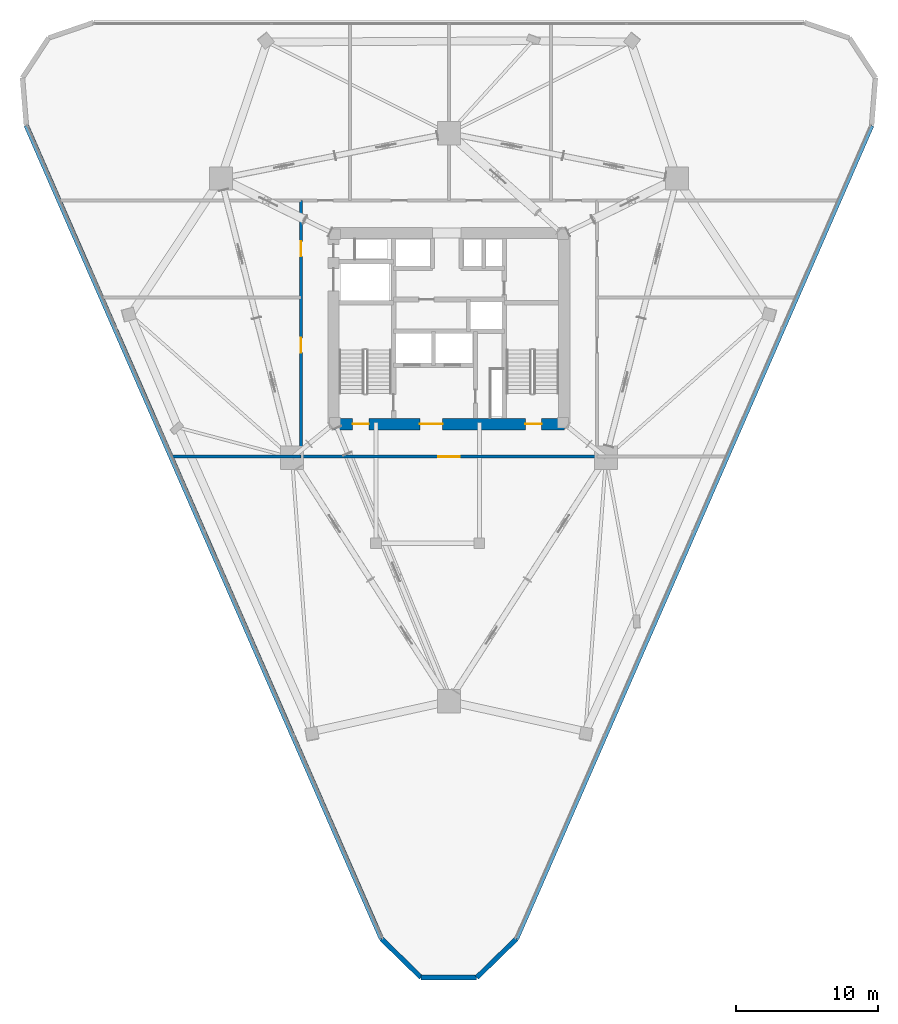
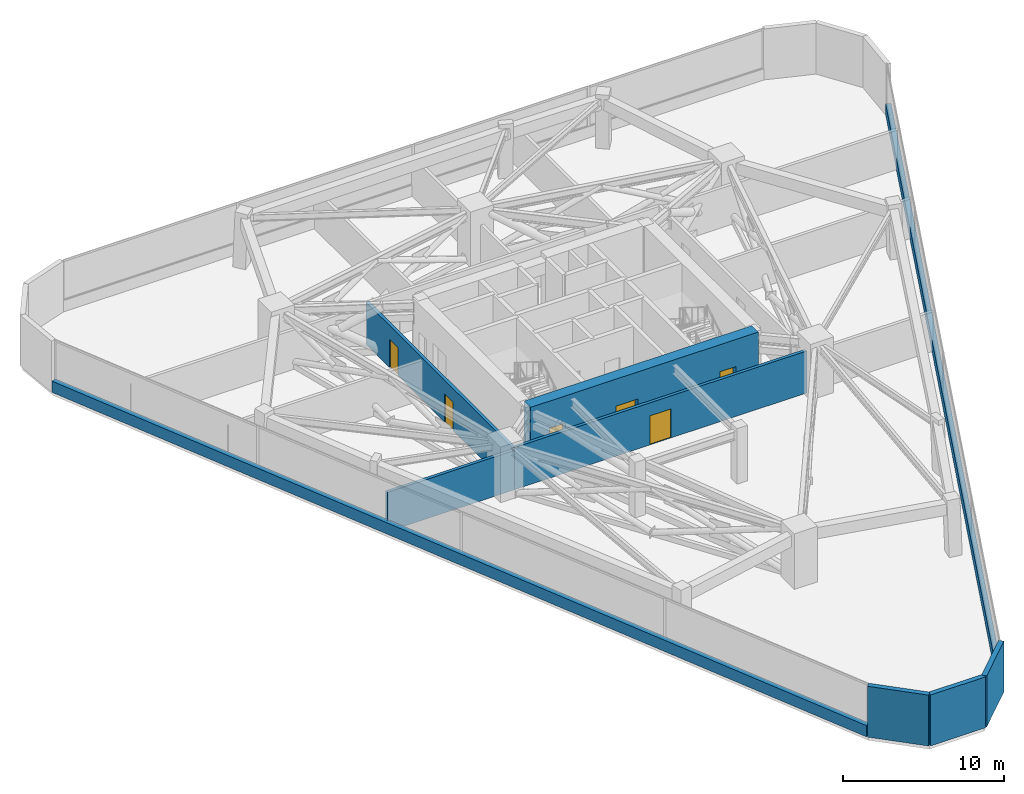
# One storey, part 12 of 15: 9 walls, 6 doors, 6 openings.
"""IFC4 building model written with IfcOpenShell, lengths in metres."""

from ifc_helpers import new_model, si_unit, direction, frame, frame_2d, origin, place, context, subcontext, project, spatial, rectangle, extrude, material, layer, layer_set, type_object, element, fill, save


model = new_model("IFC4")

# Units and contexts
model_context = context("Model", 3, precision=1e-05, world=origin(), true_north=direction((0.0, 1.0)))
body_context = subcontext(model_context, "Body", "Model", "MODEL_VIEW")
ifc_project = project(units=[si_unit("LENGTHUNIT", "METRE"), si_unit("AREAUNIT", "SQUARE_METRE"), si_unit("VOLUMEUNIT", "CUBIC_METRE"), si_unit("PLANEANGLEUNIT", "RADIAN"), si_unit("MASSUNIT", "GRAM", prefix="KILO")], contexts=[model_context])

# Site, building, storey
site_placement = place(None, origin())
site = spatial("IfcSite", under=ifc_project, at=site_placement, CompositionType="ELEMENT")
building_placement = place(site_placement, origin())
building = spatial("IfcBuilding", under=site, at=building_placement, Name="Talyreon Biosciences Tower", CompositionType="ELEMENT")
storey_placement = place(building_placement, frame((0.0, 0.0, 118.800048828125)))
storey = spatial("IfcBuildingStorey", under=building, at=storey_placement, Name="L31", CompositionType="ELEMENT", Elevation=118.800048828125)

# Wall, openings, doors
ifc_material_1 = material(Name="Concrete C60/75", Category="concrete")
ifc_layer_1 = layer(ifc_material_1, 0.800048828125)
ifc_layer_set_1 = layer_set([ifc_layer_1], Name="Concrete C60/75")
wall_type_1 = type_object("IfcWallType", Name="CoreShearWall_800", PredefinedType="SHEAR", material=ifc_layer_set_1)
wall_1_placement = place(storey_placement, frame((57.85009765625, 61.25, 0.0), z_axis=(0.0, 0.0, 1.0), x_axis=(1.0, 0.0, 0.0)))
wall_1 = element("IfcWall", 1, at=wall_1_placement, inside=storey, type_object=wall_type_1, Name="L31 Core Shear Wall S", PredefinedType="SHEAR", context=body_context, shape_type="SweptSolid", body=[
    extrude(rectangle(XDim=16.2998046875, YDim=0.800048828125, at=frame_2d((8.14990234375, 0.0))), origin(), (0.0, 0.0, 1.0), 4.199951171875),
])
opening_1_placement = place(wall_1_placement, frame((1.35009765625, 0.0, 0.0)))
opening_1 = element("IfcOpeningElement", 2, at=opening_1_placement, cuts=wall_1, Name="Opening DR-L31-ST1", PredefinedType="OPENING", context=body_context, shape_type="SweptSolid", body=[
    extrude(rectangle(XDim=1.14990234375, YDim=2.14990234375, at=frame_2d((0.574951171875, 1.074951171875))), frame((0.0, 0.409912109375, 0.0), z_axis=(0.0, -1.0, 0.0), x_axis=(1.0, 0.0, 0.0)), (0.0, 0.0, 1.0), 0.820068359375),
])
opening_2_placement = place(wall_1_placement, frame((6.10009765625, 0.0, 0.0)))
opening_2 = element("IfcOpeningElement", 3, at=opening_2_placement, cuts=wall_1, Name="Opening DR-L31-FFL", PredefinedType="OPENING", context=body_context, shape_type="SweptSolid", body=[
    extrude(rectangle(XDim=1.60009765625, YDim=2.14990234375, at=frame_2d((0.800048828125, 1.074951171875))), frame((0.0, 0.409912109375, 0.0), z_axis=(0.0, -1.0, 0.0), x_axis=(1.0, 0.0, 0.0)), (0.0, 0.0, 1.0), 0.820068359375),
])
opening_3_placement = place(wall_1_placement, frame((13.550048828125, 0.0, 0.0)))
opening_3 = element("IfcOpeningElement", 4, at=opening_3_placement, cuts=wall_1, Name="Opening DR-L31-ST2", PredefinedType="OPENING", context=body_context, shape_type="SweptSolid", body=[
    extrude(rectangle(XDim=1.14990234375, YDim=2.14990234375, at=frame_2d((0.574951171875, 1.074951171875))), frame((0.0, 0.409912109375, 0.0), z_axis=(0.0, -1.0, 0.0), x_axis=(1.0, 0.0, 0.0)), (0.0, 0.0, 1.0), 0.820068359375),
])
ifc_material_2 = material(Name="Painted steel smoke-seal fire door", Category="steel")
door_type_1 = type_object("IfcDoorType", Name="FirefightingLobbyDoubleDoor_1600x2150", OperationType="DOUBLE_DOOR_SINGLE_SWING", PredefinedType="DOOR", material=ifc_material_2)
door_1_placement = place(opening_2_placement, origin())
door_1 = element("IfcDoor", 5, at=door_1_placement, inside=storey, type_object=door_type_1, Name="L31 Core Door DR-L31-FFL", OperationType="DOUBLE_DOOR_SINGLE_SWING", OverallHeight=2.14990234375, OverallWidth=1.60009765625, PredefinedType="DOOR", context=body_context, shape_type="SweptSolid", body=[
    extrude(rectangle(XDim=1.60009765625, YDim=2.14990234375, at=frame_2d((0.800048828125, 1.074951171875))), frame((0.0, 0.02490234375, 0.0), z_axis=(0.0, -1.0, 0.0), x_axis=(1.0, 0.0, 0.0)), (0.0, 0.0, 1.0), 0.050048828125),
])
fill(opening_2, door_1)
ifc_material_3 = material(Name="Painted steel fire door", Category="steel")
door_type_2 = type_object("IfcDoorType", Name="StairShaftFireDoor_1150x2150", OperationType="NOTDEFINED", PredefinedType="DOOR", material=ifc_material_3)
door_2_placement = place(opening_1_placement, origin())
door_2 = element("IfcDoor", 6, at=door_2_placement, inside=storey, type_object=door_type_2, Name="L31 Core Door DR-L31-ST1", OperationType="SINGLE_SWING_LEFT", OverallHeight=2.14990234375, OverallWidth=1.14990234375, PredefinedType="DOOR", context=body_context, shape_type="SweptSolid", body=[
    extrude(rectangle(XDim=1.14990234375, YDim=2.14990234375, at=frame_2d((0.574951171875, 1.074951171875))), frame((0.0, 0.02490234375, 0.0), z_axis=(0.0, -1.0, 0.0), x_axis=(1.0, 0.0, 0.0)), (0.0, 0.0, 1.0), 0.050048828125),
])
fill(opening_1, door_2)
door_3_placement = place(opening_3_placement, origin())
door_3 = element("IfcDoor", 7, at=door_3_placement, inside=storey, type_object=door_type_2, Name="L31 Core Door DR-L31-ST2", OperationType="SINGLE_SWING_RIGHT", OverallHeight=2.14990234375, OverallWidth=1.14990234375, PredefinedType="DOOR", context=body_context, shape_type="SweptSolid", body=[
    extrude(rectangle(XDim=1.14990234375, YDim=2.14990234375, at=frame_2d((0.574951171875, 1.074951171875))), frame((0.0, 0.02490234375, 0.0), z_axis=(0.0, -1.0, 0.0), x_axis=(1.0, 0.0, 0.0)), (0.0, 0.0, 1.0), 0.050048828125),
])
fill(opening_3, door_3)

# Wall
ifc_material_4 = material(Name="Gypsum fireboard acoustic stud", Category="gypsum")
ifc_layer_2 = layer(ifc_material_4, 0.219970703125)
ifc_layer_set_2 = layer_set([ifc_layer_2], Name="Gypsum fireboard acoustic stud")
wall_type_2 = type_object("IfcWallType", Name="CorridorRatedPartition_220", PredefinedType="PARTITIONING", material=ifc_layer_set_2)
wall_2_placement = place(storey_placement, frame((46.453369140625, 58.949951171875, 0.0), z_axis=(0.0, 0.0, 1.0), x_axis=(1.0, 0.0, 0.0)))
element("IfcWall", 8, at=wall_2_placement, inside=storey, type_object=wall_type_2, Name="L31 Interior Wall IW-L31-PDIV-SW", PredefinedType="PARTITIONING", context=body_context, shape_type="SweptSolid", body=[
    extrude(rectangle(XDim=9.0966796875, YDim=0.219970703125, at=frame_2d((4.54833984375, 0.0))), origin(), (0.0, 0.0, 1.0), 2.97998046875),
])

# Wall, opening, door
wall_3_placement = place(storey_placement, frame((55.550048828125, 58.949951171875, 0.0), z_axis=(0.0, 0.0, 1.0), x_axis=(1.0, 0.0, 0.0)))
wall_3 = element("IfcWall", 9, at=wall_3_placement, inside=storey, type_object=wall_type_2, Name="L31 Interior Wall IW-L31-PC-S", PredefinedType="PARTITIONING", context=body_context, shape_type="SweptSolid", body=[
    extrude(rectangle(XDim=20.89990234375, YDim=0.219970703125, at=frame_2d((10.449951171875, 0.0))), origin(), (0.0, 0.0, 1.0), 3.179931640625),
])
opening_4_placement = place(wall_3_placement, frame((9.699951171875, 0.0, 0.0)))
opening_4 = element("IfcOpeningElement", 10, at=opening_4_placement, cuts=wall_3, Name="Opening DR-L31-PL-S", PredefinedType="OPENING", context=body_context, shape_type="SweptSolid", body=[
    extrude(rectangle(XDim=1.5, YDim=2.199951171875, at=frame_2d((0.75, 1.10009765625))), frame((0.0, 0.119873046875, 0.0), z_axis=(0.0, -1.0, 0.0), x_axis=(1.0, 0.0, 0.0)), (0.0, 0.0, 1.0), 0.239990234375),
])
ifc_material_5 = material(Name="Vision-panel steel laboratory fire door", Category="steel")
door_type_3 = type_object("IfcDoorType", Name="WetLabDoubleLeafDoor_1500x2200", OperationType="DOUBLE_DOOR_SINGLE_SWING", PredefinedType="DOOR", material=ifc_material_5)
door_4_placement = place(opening_4_placement, origin())
door_4 = element("IfcDoor", 11, at=door_4_placement, inside=storey, type_object=door_type_3, Name="L31 Interior Door DR-L31-PL-S", OperationType="DOUBLE_DOOR_SINGLE_SWING", OverallHeight=2.199951171875, OverallWidth=1.5, PredefinedType="DOOR", context=body_context, shape_type="SweptSolid", body=[
    extrude(rectangle(XDim=1.5, YDim=2.199951171875, at=frame_2d((0.75, 1.10009765625))), frame((0.0, 0.02490234375, 0.0), z_axis=(0.0, -1.0, 0.0), x_axis=(1.0, 0.0, 0.0)), (0.0, 0.0, 1.0), 0.050048828125),
])
fill(opening_4, door_4)

# Wall, openings, doors
wall_4_placement = place(storey_placement, frame((55.550048828125, 58.949951171875, 0.0), z_axis=(0.0, 0.0, 1.0), x_axis=(0.0, 1.0, 0.0)))
wall_4 = element("IfcWall", 12, at=wall_4_placement, inside=storey, type_object=wall_type_2, Name="L31 Interior Wall IW-L31-PC-W", PredefinedType="PARTITIONING", context=body_context, shape_type="SweptSolid", body=[
    extrude(rectangle(XDim=18.10009765625, YDim=0.219970703125, at=frame_2d((9.050048828125, 0.0))), origin(), (0.0, 0.0, 1.0), 3.179931640625),
])
opening_5_placement = place(wall_4_placement, frame((7.340087890625, 0.0, 0.0)))
opening_5 = element("IfcOpeningElement", 13, at=opening_5_placement, cuts=wall_4, Name="Opening DR-L31-PL-WB", PredefinedType="OPENING", context=body_context, shape_type="SweptSolid", body=[
    extrude(rectangle(XDim=1.050048828125, YDim=2.14990234375, at=frame_2d((0.52490234375, 1.074951171875))), frame((0.0, 0.119873046875, 0.0), z_axis=(0.0, -1.0, 0.0), x_axis=(1.0, 0.0, 0.0)), (0.0, 0.0, 1.0), 0.239990234375),
])
opening_6_placement = place(wall_4_placement, frame((14.14990234375, 0.0, 0.0)))
opening_6 = element("IfcOpeningElement", 14, at=opening_6_placement, cuts=wall_4, Name="Opening DR-L31-PL-WA", PredefinedType="OPENING", context=body_context, shape_type="SweptSolid", body=[
    extrude(rectangle(XDim=1.050048828125, YDim=2.14990234375, at=frame_2d((0.52490234375, 1.074951171875))), frame((0.0, 0.119873046875, 0.0), z_axis=(0.0, -1.0, 0.0), x_axis=(1.0, 0.0, 0.0)), (0.0, 0.0, 1.0), 0.239990234375),
])
ifc_material_6 = material(Name="Acoustic timber-core laboratory door", Category="wood")
door_type_4 = type_object("IfcDoorType", Name="DryLabSingleDoor_1050x2150", OperationType="NOTDEFINED", PredefinedType="DOOR", material=ifc_material_6)
door_5_placement = place(opening_5_placement, origin())
door_5 = element("IfcDoor", 15, at=door_5_placement, inside=storey, type_object=door_type_4, Name="L31 Interior Door DR-L31-PL-WB", OperationType="SINGLE_SWING_RIGHT", OverallHeight=2.14990234375, OverallWidth=1.050048828125, PredefinedType="DOOR", context=body_context, shape_type="SweptSolid", body=[
    extrude(rectangle(XDim=1.050048828125, YDim=2.14990234375, at=frame_2d((0.52490234375, 1.074951171875))), frame((0.0, 0.02490234375, 0.0), z_axis=(0.0, -1.0, 0.0), x_axis=(1.0, 0.0, 0.0)), (0.0, 0.0, 1.0), 0.050048828125),
])
fill(opening_5, door_5)
door_6_placement = place(opening_6_placement, origin())
door_6 = element("IfcDoor", 16, at=door_6_placement, inside=storey, type_object=door_type_4, Name="L31 Interior Door DR-L31-PL-WA", OperationType="SINGLE_SWING_RIGHT", OverallHeight=2.14990234375, OverallWidth=1.050048828125, PredefinedType="DOOR", context=body_context, shape_type="SweptSolid", body=[
    extrude(rectangle(XDim=1.050048828125, YDim=2.14990234375, at=frame_2d((0.52490234375, 1.074951171875))), frame((0.0, 0.02490234375, 0.0), z_axis=(0.0, -1.0, 0.0), x_axis=(1.0, 0.0, 0.0)), (0.0, 0.0, 1.0), 0.050048828125),
])
fill(opening_6, door_6)

# Walls
ifc_material_7 = material(Name="Precast concrete C45/55", Category="concrete")
ifc_layer_3 = layer(ifc_material_7, 0.340087890625)
ifc_layer_set_3 = layer_set([ifc_layer_3], Name="Precast concrete C45/55")
wall_type_3 = type_object("IfcWallType", Name="PrecastConcreteSpandrelWall_340", PredefinedType="STANDARD", material=ifc_layer_set_3)
for number, where, z_axis, x_axis, name in (
    (17, (61.234619140625, 24.892578125, 0.0), (0.0, 0.0, 1.0), (-0.400226042304, 0.916416452854, 0.0), "L31 Expressed Concrete Sill Wall 00"),
    (18, (95.853759765625, 82.338623046875, 0.0), (0.0, 0.0, 1.0), (-0.400226042304, -0.916416452854, 0.0), "L31 Expressed Concrete Sill Wall 08"),
):
    element("IfcWall", number, at=place(storey_placement, frame(where, z_axis=z_axis, x_axis=x_axis)), inside=storey, type_object=wall_type_3, Name=name, PredefinedType="STANDARD", context=body_context, shape_type="SweptSolid", body=[
        extrude(rectangle(XDim=62.685546875, YDim=0.340087890625, at=frame_2d((31.3427734375, 0.0))), origin(), (0.0, 0.0, 1.0), 0.849853515625),
    ])
wall_5_placement = place(storey_placement, frame((70.765380859375, 24.892578125, 0.0), z_axis=(0.0, 0.0, 1.0), x_axis=(-0.716021159022, -0.69807857712, 0.0)))
element("IfcWall", 19, at=wall_5_placement, inside=storey, type_object=wall_type_3, Name="L31 Rounded-Corner Concrete Pier 09", PredefinedType="STANDARD", context=body_context, shape_type="SweptSolid", body=[
    extrude(rectangle(XDim=3.918701171875, YDim=0.340087890625, at=frame_2d((1.95947265625, 0.0))), origin(), (0.0, 0.0, 1.0), 3.849853515625),
])
wall_6_placement = place(storey_placement, frame((67.95947265625, 22.156982421875, 0.0), z_axis=(0.0, 0.0, 1.0), x_axis=(-1.0, 0.0, 0.0)))
element("IfcWall", 20, at=wall_6_placement, inside=storey, type_object=wall_type_3, Name="L31 Rounded-Corner Concrete Pier 10", PredefinedType="STANDARD", context=body_context, shape_type="SweptSolid", body=[
    extrude(rectangle(XDim=3.9189453125, YDim=0.340087890625, at=frame_2d((1.95947265625, 0.0))), origin(), (0.0, 0.0, 1.0), 3.849853515625),
])
wall_7_placement = place(storey_placement, frame((64.04052734375, 22.156982421875, 0.0), z_axis=(0.0, 0.0, 1.0), x_axis=(-0.716021159022, 0.69807857712, 0.0)))
element("IfcWall", 21, at=wall_7_placement, inside=storey, type_object=wall_type_3, Name="L31 Rounded-Corner Concrete Pier 11", PredefinedType="STANDARD", context=body_context, shape_type="SweptSolid", body=[
    extrude(rectangle(XDim=3.918701171875, YDim=0.340087890625, at=frame_2d((1.95947265625, 0.0))), origin(), (0.0, 0.0, 1.0), 3.849853515625),
])

save(model, "model.ifc")
